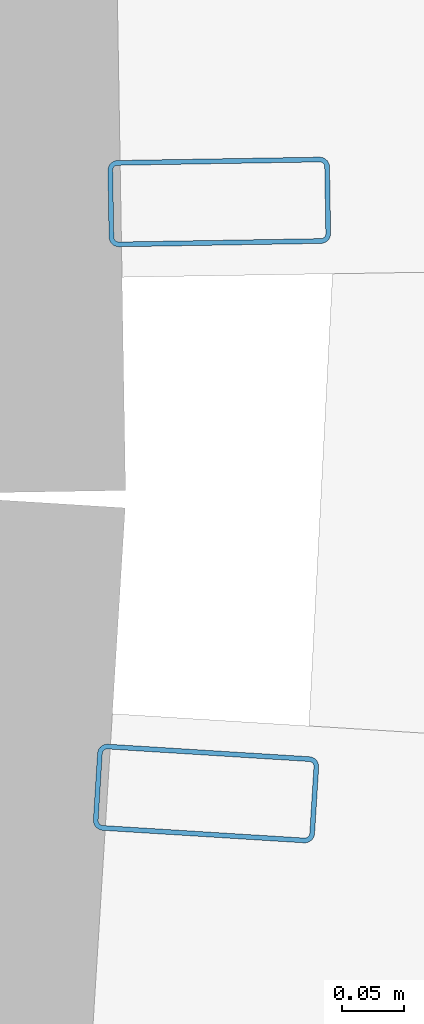
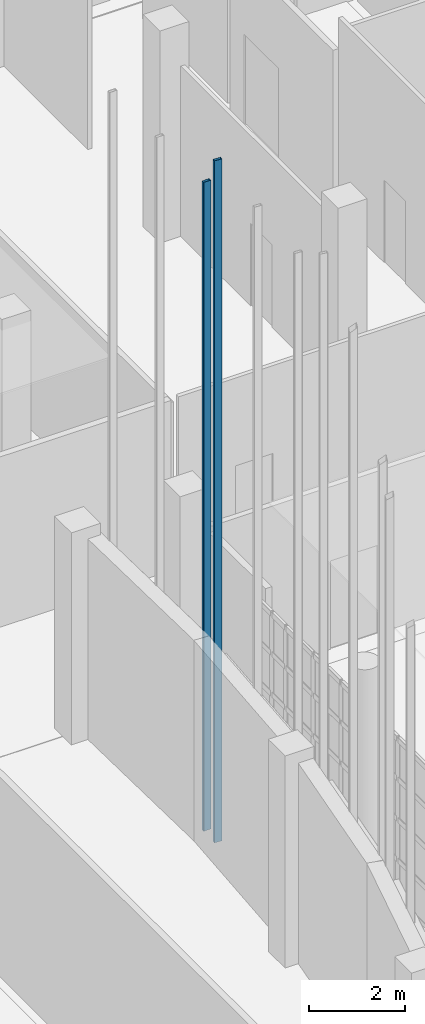
# One storey, part 230 of 372: 2 members.
"""IFC4 building model written with IfcOpenShell, lengths in metres."""

from ifc_helpers import new_model, si_unit, direction, frame, origin, origin_2d, place, context, subcontext, project, spatial, hollow_rectangle, extrude, material, material_profile, profile_set, type_object, element, save


model = new_model("IFC4")

# Units and contexts
model_context = context("Model", 3, precision=1e-05, world=origin(), true_north=direction((0.0, 1.0)))
body_context = subcontext(model_context, "Body", "Model", "MODEL_VIEW")
ifc_project = project(units=[si_unit("LENGTHUNIT", "METRE"), si_unit("AREAUNIT", "SQUARE_METRE"), si_unit("VOLUMEUNIT", "CUBIC_METRE"), si_unit("PLANEANGLEUNIT", "RADIAN"), si_unit("MASSUNIT", "GRAM", prefix="KILO")], contexts=[model_context])

# Site, building, storey
site_placement = place(None, origin())
site = spatial("IfcSite", under=ifc_project, at=site_placement, CompositionType="ELEMENT")
building_placement = place(site_placement, origin())
building = spatial("IfcBuilding", under=site, at=building_placement, Name="Kaelora Sail Theatre", CompositionType="ELEMENT")
storey_placement = place(building_placement, origin())
storey = spatial("IfcBuildingStorey", under=building, at=storey_placement, Name="L00", CompositionType="ELEMENT", Elevation=0.0)

# Members
ifc_material = material(Name="Anodised aluminium 6063-T6", Category="aluminium")
ifc_material_profile = material_profile(ifc_material, hollow_rectangle(XDim=0.070068359375, YDim=0.179931640625, WallThickness=0.00390625, InnerFilletRadius=0.00390625, OuterFilletRadius=0.008056640625, at=origin_2d()), Name="ALU-MULL 70x180x4")
ifc_profile_set = profile_set([ifc_material_profile], Name="Anodised aluminium 6063-T6")
member_type = type_object("IfcMemberType", Name="ARC-MEM-PST-160", PredefinedType="POST", material=ifc_profile_set)
member_1_placement = place(storey_placement, frame((104.7333984375, 56.6015625, 0.0), z_axis=(0.0, 0.0, 1.0), x_axis=(0.016579868188, -0.999862544538, 0.0)))
element("IfcMember", 1, at=member_1_placement, inside=storey, type_object=member_type, Name="Studio Theatre Sail Drum solar louvre vertical support post C1-3", PredefinedType="POST", context=body_context, shape_type="SweptSolid", body=[
    extrude(hollow_rectangle(XDim=0.070068359375, YDim=0.179931640625, WallThickness=0.00390625, InnerFilletRadius=0.00390625, OuterFilletRadius=0.008056640625, at=origin_2d()), origin(), (0.0, 0.0, 1.0), 16.525390625),
])
member_2_placement = place(storey_placement, frame((104.72265625, 56.121337890625, 0.0), z_axis=(0.0, 0.0, 1.0), x_axis=(-0.062093750187, -0.998070321264, 0.0)))
element("IfcMember", 2, at=member_2_placement, inside=storey, type_object=member_type, Name="Studio Theatre Sail Drum solar louvre vertical support post C2-1", PredefinedType="POST", context=body_context, shape_type="SweptSolid", body=[
    extrude(hollow_rectangle(XDim=0.070068359375, YDim=0.179931640625, WallThickness=0.00390625, InnerFilletRadius=0.00390625, OuterFilletRadius=0.008056640625, at=origin_2d()), origin(), (0.0, 0.0, 1.0), 17.365966796875),
])

save(model, "model.ifc")
